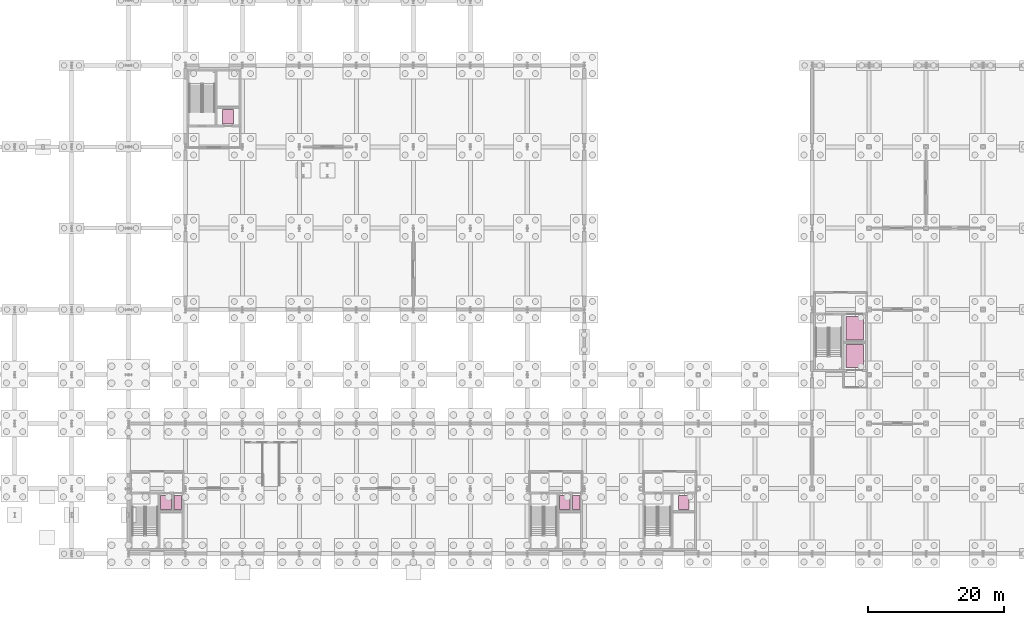
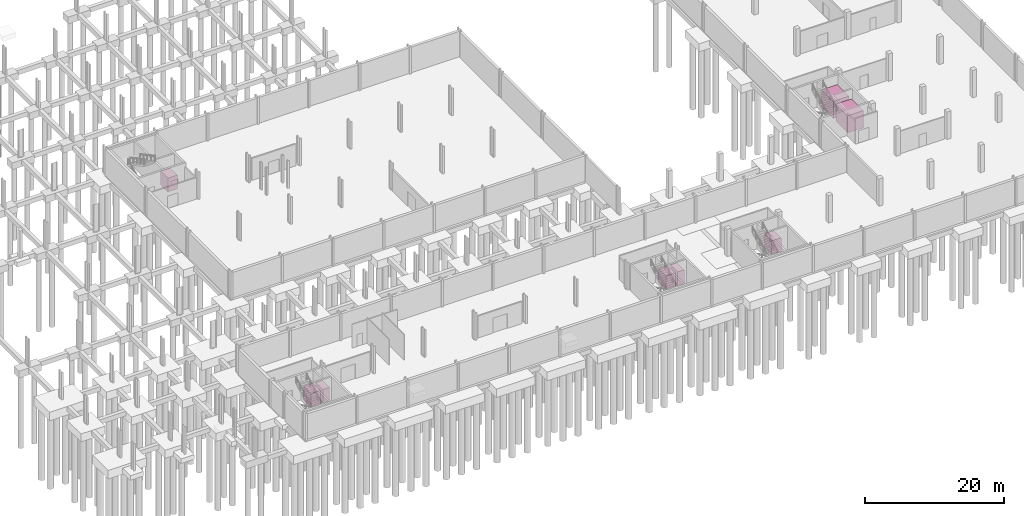
# One storey, part 29 of 29: 8 transport elements.
"""IFC4 building model written with IfcOpenShell, lengths in metres."""

from ifc_helpers import new_model, si_unit, direction, frame, origin, origin_2d, place, context, subcontext, project, spatial, rectangle, extrude, material, type_object, element, save


model = new_model("IFC4")

# Units and contexts
model_context = context("Model", 3, precision=1e-05, world=origin(), true_north=direction((0.0, 1.0)))
body_context = subcontext(model_context, "Body", "Model", "MODEL_VIEW")
ifc_project = project(units=[si_unit("LENGTHUNIT", "METRE"), si_unit("AREAUNIT", "SQUARE_METRE"), si_unit("VOLUMEUNIT", "CUBIC_METRE"), si_unit("PLANEANGLEUNIT", "RADIAN"), si_unit("MASSUNIT", "GRAM", prefix="KILO")], contexts=[model_context])

# Site, building, storey
site_placement = place(None, origin())
site = spatial("IfcSite", under=ifc_project, at=site_placement, CompositionType="ELEMENT")
building_placement = place(site_placement, origin())
building = spatial("IfcBuilding", under=site, at=building_placement, Name="Veltarok Museum of Natural Sciences", CompositionType="ELEMENT")
storey_placement = place(building_placement, frame((0.0, 0.0, -4.800048828125)))
storey = spatial("IfcBuildingStorey", under=building, at=storey_placement, Name="B1", CompositionType="ELEMENT", Elevation=-4.800048828125)

# Transport elements
ifc_material = material(Name="Brushed stainless steel and Steel S355J2", Category="steel")
transport_element_type_1 = type_object("IfcTransportElementType", Name="Barrier-Free Passenger Lift 1600kg", PredefinedType="ELEVATOR", material=ifc_material)
for number, where, z_axis, x_axis, name in (
    (1, (37.1298828125, 7.550048828125, 0.0), (0.0, 0.0, 1.0), (1.0, 0.0, 0.0), "Passenger Lift LP-01"),
    (2, (95.929931640625, 7.550048828125, 0.0), (0.0, 0.0, 1.0), (1.0, 0.0, 0.0), "Passenger Lift LP-02"),
    (3, (46.27001953125, 64.449951171875, 0.0), (0.0, 0.0, 1.0), (1.0, 0.0, 0.0), "Passenger Lift LP-03"),
    (4, (113.469970703125, 7.550048828125, 0.0), (0.0, 0.0, 1.0), (1.0, 0.0, 0.0), "Passenger Lift LP-04"),
):
    element("IfcTransportElement", number, at=place(storey_placement, frame(where, z_axis=z_axis, x_axis=x_axis)), inside=storey, type_object=transport_element_type_1, Name=name, PredefinedType="ELEVATOR", context=body_context, shape_type="SweptSolid", body=[
        extrude(rectangle(XDim=1.60009765625, YDim=2.10009765625, at=origin_2d()), origin(), (0.0, 0.0, 1.0), 2.39990234375),
    ])
transport_element_type_2 = type_object("IfcTransportElementType", Name="Dual-Power Firefighting Stretcher Lift 1275kg", PredefinedType="ELEVATOR", material=ifc_material)
for number, where, z_axis, x_axis, name in (
    (5, (38.85498046875, 7.550048828125, 0.0), (0.0, 0.0, 1.0), (1.0, 0.0, 0.0), "Firefighting Lift FL-01"),
    (6, (97.655029296875, 7.550048828125, 0.0), (0.0, 0.0, 1.0), (1.0, 0.0, 0.0), "Firefighting Lift FL-02"),
):
    element("IfcTransportElement", number, at=place(storey_placement, frame(where, z_axis=z_axis, x_axis=x_axis)), inside=storey, type_object=transport_element_type_2, Name=name, PredefinedType="ELEVATOR", context=body_context, shape_type="SweptSolid", body=[
        extrude(rectangle(XDim=1.10009765625, YDim=2.10009765625, at=origin_2d()), origin(), (0.0, 0.0, 1.0), 2.39990234375),
    ])
transport_element_type_3 = type_object("IfcTransportElementType", Name="Heavy Crated-Art Freight Lift 4500kg", PredefinedType="ELEVATOR", material=ifc_material)
for number, where, z_axis, x_axis, name in (
    (7, (138.669921875, 29.125, 0.0), (0.0, 0.0, 1.0), (1.0, 0.0, 0.0), "Art Freight Lift GL-01"),
    (8, (138.669921875, 33.25, 0.0), (0.0, 0.0, 1.0), (1.0, 0.0, 0.0), "Art Freight Lift GL-02"),
):
    element("IfcTransportElement", number, at=place(storey_placement, frame(where, z_axis=z_axis, x_axis=x_axis)), inside=storey, type_object=transport_element_type_3, Name=name, PredefinedType="ELEVATOR", context=body_context, shape_type="SweptSolid", body=[
        extrude(rectangle(XDim=2.60009765625, YDim=3.39990234375, at=origin_2d()), origin(), (0.0, 0.0, 1.0), 3.0),
    ])

save(model, "model.ifc")
